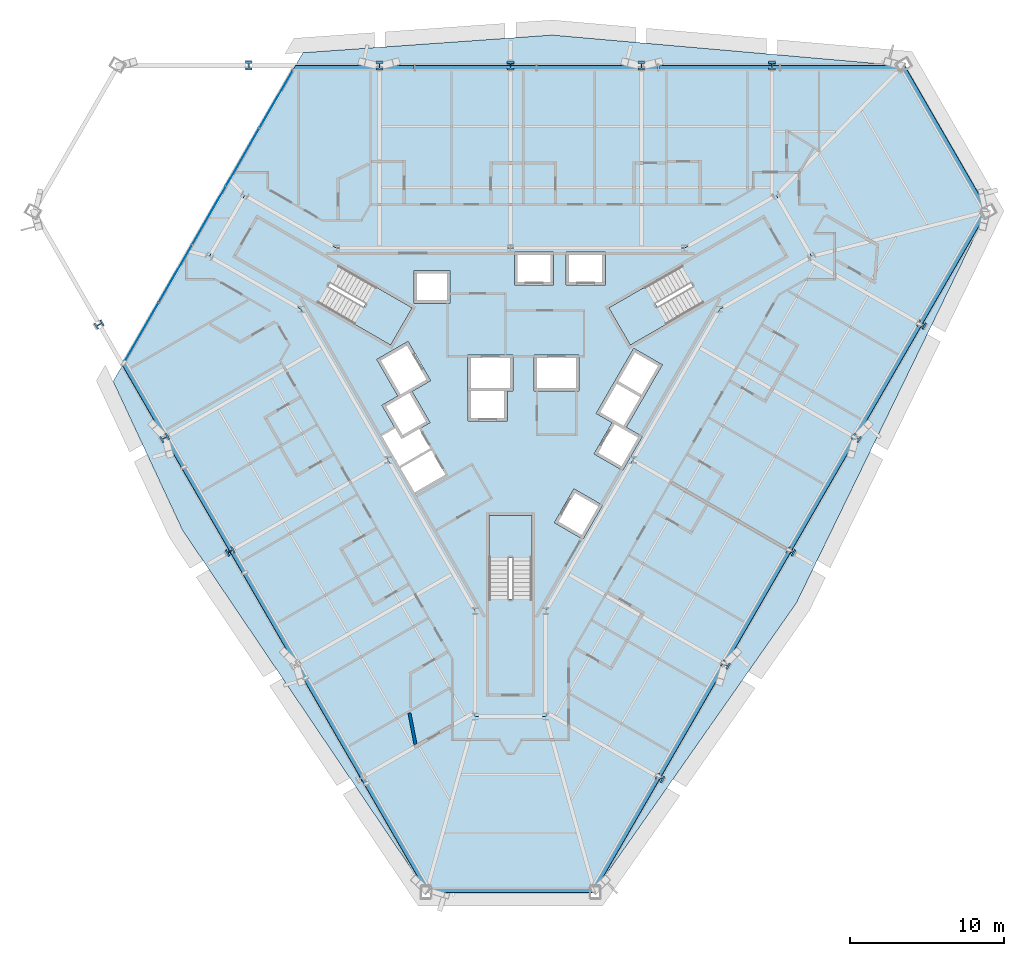
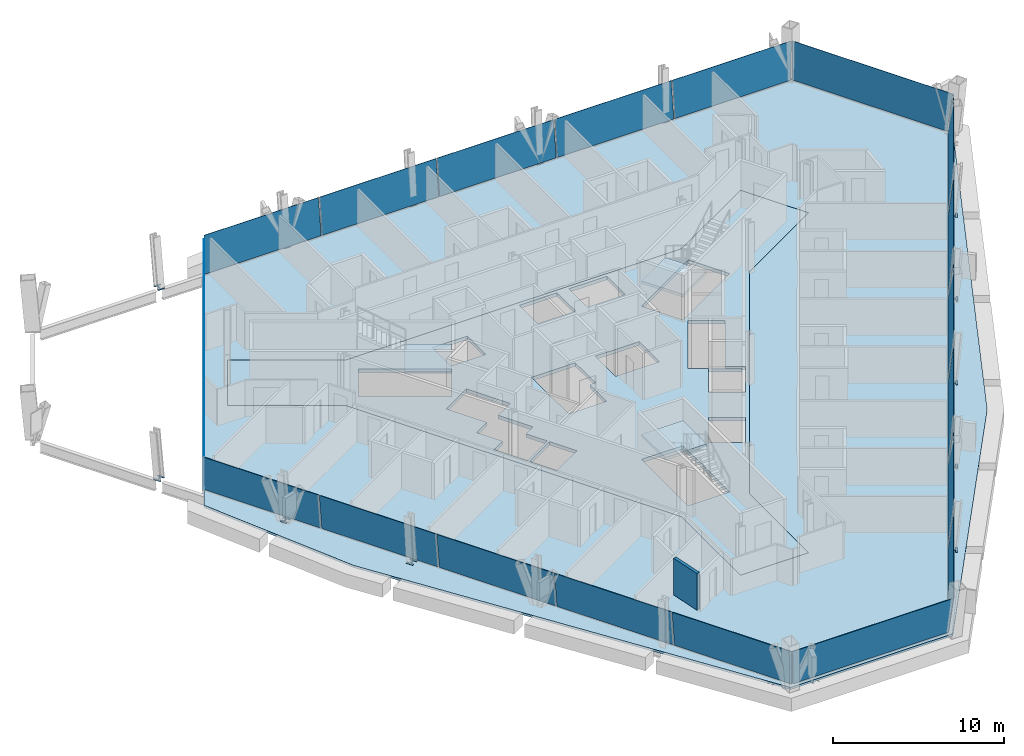
# One storey, part 9 of 17: 23 plates, 13 members, 5 slabs, 1 wall, 9 elements without a shape of their own.
"""IFC4 building model written with IfcOpenShell, lengths in metres."""

from ifc_helpers import new_model, si_unit, direction, frame, frame_2d, origin, origin_2d, place, context, subcontext, project, spatial, polyline, rectangle, i_section, outline, extrude, material, layer, layer_set, material_profile, profile_set, type_object, element, aggregate, save


model = new_model("IFC4")

# Units and contexts
model_context = context("Model", 3, precision=1e-05, world=origin(), true_north=direction((0.0, 1.0)))
body_context = subcontext(model_context, "Body", "Model", "MODEL_VIEW")
ifc_project = project(units=[si_unit("LENGTHUNIT", "METRE"), si_unit("AREAUNIT", "SQUARE_METRE"), si_unit("VOLUMEUNIT", "CUBIC_METRE"), si_unit("PLANEANGLEUNIT", "RADIAN"), si_unit("MASSUNIT", "GRAM", prefix="KILO")], contexts=[model_context])

# Site, building, storey
site_placement = place(None, origin())
site = spatial("IfcSite", under=ifc_project, at=site_placement, CompositionType="ELEMENT")
building_placement = place(site_placement, origin())
building = spatial("IfcBuilding", under=site, at=building_placement, Name="Verrane Prism Tower", CompositionType="ELEMENT")
storey_placement = place(building_placement, frame((0.0, 0.0, 62.0)))
storey = spatial("IfcBuildingStorey", under=building, at=storey_placement, Name="L13", CompositionType="ELEMENT", Elevation=62.0)

# Members
ifc_material_1 = material(Name="Steel A992", Category="steel")
ifc_material_profile = material_profile(ifc_material_1, i_section(OverallWidth=0.44189453125, OverallDepth=0.53076171875, WebThickness=0.06591796875, FlangeThickness=0.105712890625, FilletRadius=0.01513671875, at=origin_2d()), Name="W14x605")
ifc_profile_set = profile_set([ifc_material_profile], Name="Steel A992")
member_type = type_object("IfcMemberType", Name="Kink node W14x605", PredefinedType="COLLAR", material=ifc_profile_set)
for number, where, z_axis, x_axis, name in (
    (1, (17.030517578125, 21.071044921875, -0.02490234375), (0.0, 0.0, 1.0), (1.0, 0.0, 0.0), "Kink node PC2 L13"),
    (2, (8.520263671875, 21.071044921875, -0.02490234375), (0.0, 0.0, 1.0), (1.0, 0.0, 0.0), "Kink node PC2 L13"),
    (3, (0.0, 21.071044921875, -0.02490234375), (0.0, 0.0, 1.0), (1.0, 0.0, 0.0), "Kink node PC2 L13"),
    (4, (-8.520263671875, 21.071044921875, -0.02490234375), (0.0, 0.0, 1.0), (1.0, 0.0, 0.0), "Kink node PC2 L13"),
    (5, (-17.030517578125, 21.071044921875, -0.02490234375), (0.0, 0.0, 1.0), (1.0, 0.0, 0.0), "Kink node PC2 L13"),
    (6, (9.730712890625, -25.290771484375, -0.02490234375), (0.0, 0.0, 1.0), (-0.5, -0.866025403784, 0.0), "Kink node PC2 L13"),
    (7, (13.99072265625, -17.91064453125, -0.02490234375), (0.0, 0.0, 1.0), (-0.5, -0.866025403784, 0.0), "Kink node PC2 L13"),
    (8, (18.2509765625, -10.54052734375, -0.02490234375), (0.0, 0.0, 1.0), (-0.5, -0.866025403784, 0.0), "Kink node PC2 L13"),
    (9, (22.510986328125, -3.160400390625, -0.02490234375), (0.0, 0.0, 1.0), (-0.5, -0.866025403784, 0.0), "Kink node PC2 L13"),
    (10, (26.760986328125, 4.2197265625, -0.02490234375), (0.0, 0.0, 1.0), (-0.5, -0.866025403784, 0.0), "Kink node PC2 L13"),
    (11, (-26.760986328125, 4.2197265625, -0.02490234375), (0.0, 0.0, 1.0), (-0.5, 0.866025403784, 0.0), "Kink node PC2 L13"),
    (12, (-22.510986328125, -3.160400390625, -0.02490234375), (0.0, 0.0, 1.0), (-0.5, 0.866025403784, 0.0), "Kink node PC2 L13"),
    (13, (-18.2509765625, -10.54052734375, -0.02490234375), (0.0, 0.0, 1.0), (-0.5, 0.866025403784, 0.0), "Kink node PC2 L13"),
):
    element("IfcMember", number, at=place(storey_placement, frame(where, z_axis=z_axis, x_axis=x_axis)), inside=storey, type_object=member_type, Name=name, PredefinedType="COLLAR", context=body_context, shape_type="SweptSolid", body=[
        extrude(i_section(OverallWidth=0.44189453125, OverallDepth=0.53076171875, WebThickness=0.06591796875, FlangeThickness=0.105712890625, FilletRadius=0.01513671875, at=origin_2d()), origin(), (0.0, 0.0, 1.0), 0.0498046875),
    ])

# Slabs
ifc_material_2 = material(Name="Concrete C35/45", Category="concrete")
ifc_layer_1 = layer(ifc_material_2, 0.159912109375)
ifc_layer_set_1 = layer_set([ifc_layer_1], Name="Composite floor slab")
slab_type_1 = type_object("IfcSlabType", Name="Composite floor slab", PredefinedType="FLOOR", material=ifc_layer_set_1)
slab_1_placement = place(storey_placement, frame((0.0, 0.0, -0.159912109375)))
element("IfcSlab", 14, at=slab_1_placement, inside=storey, type_object=slab_type_1, Name="Floor slab L13", PredefinedType="FLOOR", context=body_context, shape_type="SweptSolid", body=[
    extrude(outline(polyline([(2.72509765625, 23.070068359375), (25.54833984375, 21.070068359375), (31.021240234375, 11.590576171875), (18.61669921875, -13.89501953125), (5.472900390625, -32.660400390625), (-5.472900390625, -32.660400390625), (-21.341796875, -9.1748046875), (-25.863037109375, 0.524658203125), (-13.509765625, 21.921630859375), (2.72509765625, 23.070068359375)]), holes=[polyline([(19.60009765625, 8.659912109375), (17.300048828125, 12.639892578125), (11.330078125, 9.199951171875), (0.0, 9.199951171875), (-11.330078125, 9.199951171875), (-17.300048828125, 12.639892578125), (-19.60009765625, 8.659912109375), (-13.6298828125, 5.219970703125), (-7.969970703125, -4.60009765625), (-2.300048828125, -14.419921875), (-2.300048828125, -21.300048828125), (2.300048828125, -21.300048828125), (2.300048828125, -14.419921875), (7.969970703125, -4.60009765625), (13.6298828125, 5.219970703125), (19.60009765625, 8.659912109375)])]), origin(), (0.0, 0.0, 1.0), 0.159912109375),
])
ifc_material_3 = material(Name="Concrete C40/50", Category="concrete")
ifc_layer_2 = layer(ifc_material_3, 0.25)
ifc_layer_set_2 = layer_set([ifc_layer_2], Name="Core floor slab 250 concrete C40/50")
slab_type_2 = type_object("IfcSlabType", Name="Core floor slab 250 concrete C40/50", PredefinedType="FLOOR", material=ifc_layer_set_2)
slab_2_placement = place(storey_placement, frame((0.0, 0.0, -0.25)))
element("IfcSlab", 15, at=slab_2_placement, inside=storey, type_object=slab_type_2, Name="Core floor L13", PredefinedType="FLOOR", context=body_context, shape_type="SweptSolid", body=[
    extrude(outline(polyline([(13.6298828125, 5.219970703125), (19.60009765625, 8.659912109375), (17.300048828125, 12.639892578125), (11.330078125, 9.199951171875), (0.0, 9.199951171875), (-11.330078125, 9.199951171875), (-17.300048828125, 12.639892578125), (-19.60009765625, 8.659912109375), (-13.6298828125, 5.219970703125), (-7.969970703125, -4.60009765625), (-2.300048828125, -14.419921875), (-2.300048828125, -21.300048828125), (2.300048828125, -21.300048828125), (2.300048828125, -14.419921875), (7.969970703125, -4.60009765625), (13.6298828125, 5.219970703125)]), holes=[polyline([(1.39990234375, -8.199951171875), (1.39990234375, -13.639892578125), (-1.39990234375, -13.639892578125), (-1.39990234375, -8.199951171875), (1.39990234375, -8.199951171875)]), polyline([(-4.23095703125, -5.54296875), (-6.243896484375, -6.705078125), (-7.158935546875, -5.12109375), (-5.14599609375, -3.95703125), (-4.23095703125, -5.54296875)]), polyline([(0.1650390625, 2.25), (0.1650390625, -0.10009765625), (-0.205078125, -0.10009765625), (-0.205078125, -2.050048828125), (-2.7548828125, -2.050048828125), (-2.7548828125, -0.10009765625), (-2.784912109375, -0.10009765625), (-2.784912109375, 2.25), (0.1650390625, 2.25)]), polyline([(-12.512939453125, 5.60791015625), (-11.113037109375, 8.031982421875), (-6.40087890625, 5.31201171875), (-7.801025390625, 2.887939453125), (-12.512939453125, 5.60791015625)]), polyline([(-6.284912109375, 5.610107421875), (-6.284912109375, 7.760009765625), (-3.93505859375, 7.760009765625), (-3.93505859375, 5.610107421875), (-6.284912109375, 5.610107421875)]), polyline([(4.717041015625, -9.75), (2.85498046875, -8.675048828125), (4.1298828125, -6.466064453125), (5.991943359375, -7.541015625), (4.717041015625, -9.75)]), polyline([(8.303955078125, -3.136962890625), (5.575927734375, -1.56201171875), (8.02587890625, 2.680908203125), (9.887939453125, 1.60595703125), (7.5380859375, -2.464111328125), (8.576904296875, -3.06396484375), (7.302001953125, -5.27197265625), (5.43994140625, -4.197021484375), (6.614990234375, -2.162109375), (8.303955078125, -3.136962890625)]), polyline([(1.52490234375, -0.10009765625), (1.52490234375, 2.25), (4.47509765625, 2.25), (4.47509765625, -0.10009765625), (1.52490234375, -0.10009765625)]), polyline([(6.40087890625, 5.31201171875), (11.113037109375, 8.031982421875), (12.512939453125, 5.60791015625), (7.801025390625, 2.887939453125), (6.40087890625, 5.31201171875)]), polyline([(0.264892578125, 6.81005859375), (0.264892578125, 8.9599609375), (2.81494140625, 8.9599609375), (2.81494140625, 6.81005859375), (0.264892578125, 6.81005859375)]), polyline([(3.625, 6.81005859375), (3.625, 8.9599609375), (6.175048828125, 8.9599609375), (6.175048828125, 6.81005859375), (3.625, 6.81005859375)]), polyline([(-5.23095703125, -2.159912109375), (-5.945068359375, -2.572265625), (-5.220947265625, -3.826904296875), (-7.23291015625, -4.990966796875), (-8.368896484375, -3.02392578125), (-7.502685546875, -2.525146484375), (-8.367919921875, -1.02587890625), (-7.3291015625, -0.426025390625), (-8.7041015625, 1.955078125), (-6.66796875, 3.1298828125), (-5.193115234375, 0.574951171875), (-6.406005859375, -0.125), (-5.23095703125, -2.159912109375)])]), origin(), (0.0, 0.0, 1.0), 0.25),
])

# Curtain wall, plates
ifc_material_4 = material(Name="Aluminium framed insulated glazing", Category="aluminium")
curtain_wall_type_1 = type_object("IfcCurtainWallType", Name="Curtain wall CW-C 4200 module", PredefinedType="NOTDEFINED", material=ifc_material_4)
curtain_wall_1_placement = place(storey_placement, origin())
curtain_wall_1 = element("IfcCurtainWall", 16, at=curtain_wall_1_placement, inside=storey, type_object=curtain_wall_type_1, Name="Glazed curtain wall garden cut line L13 1", PredefinedType="NOTDEFINED")
ifc_material_5 = material(Name="Low-iron insulating glass unit", Category="glass")
ifc_layer_3 = layer(ifc_material_5, 0.02392578125)
ifc_layer_set_3 = layer_set([ifc_layer_3], Name="Glazing panel IGU 24")
plate_type_1 = type_object("IfcPlateType", Name="Glazing panel IGU 24", PredefinedType="CURTAIN_PANEL", material=ifc_layer_set_3)
plate_1_placement = place(storey_placement, frame((-15.260986328125, 18.887939453125, 0.050048828125), z_axis=(0.0, 0.0, 1.0), x_axis=(-0.49999886314, -0.86602606015, 0.0)))
plate_1 = element("IfcPlate", 17, at=plate_1_placement, type_object=plate_type_1, Name="CW12.3.1 panel 1", PredefinedType="CURTAIN_PANEL", context=body_context, shape_type="SweptSolid", body=[
    extrude(rectangle(XDim=4.294677734375, YDim=0.02392578125, at=origin_2d()), origin(), (0.0, 0.0, 1.0), 2.56298828125),
])
plate_2_placement = place(storey_placement, frame((-17.439697265625, 15.114501953125, 0.050048828125), z_axis=(0.0, 0.0, 1.0), x_axis=(-0.49999886314, -0.86602606015, 0.0)))
plate_2 = element("IfcPlate", 18, at=plate_2_placement, type_object=plate_type_1, Name="CW12.3.1 panel 2", PredefinedType="CURTAIN_PANEL", context=body_context, shape_type="SweptSolid", body=[
    extrude(rectangle(XDim=4.31982421875, YDim=0.02392578125, at=origin_2d()), origin(), (0.0, 0.0, 1.0), 2.56298828125),
])
plate_3_placement = place(storey_placement, frame((-19.62451171875, 11.330322265625, 0.050048828125), z_axis=(0.0, 0.0, 1.0), x_axis=(-0.49999886314, -0.86602606015, 0.0)))
plate_3 = element("IfcPlate", 19, at=plate_3_placement, type_object=plate_type_1, Name="CW12.3.1 panel 3", PredefinedType="CURTAIN_PANEL", context=body_context, shape_type="SweptSolid", body=[
    extrude(rectangle(XDim=4.31982421875, YDim=0.02392578125, at=origin_2d()), origin(), (0.0, 0.0, 1.0), 2.56298828125),
])
plate_4_placement = place(storey_placement, frame((-21.809326171875, 7.5458984375, 0.050048828125), z_axis=(0.0, 0.0, 1.0), x_axis=(-0.49999886314, -0.86602606015, 0.0)))
plate_4 = element("IfcPlate", 20, at=plate_4_placement, type_object=plate_type_1, Name="CW12.3.1 panel 4", PredefinedType="CURTAIN_PANEL", context=body_context, shape_type="SweptSolid", body=[
    extrude(rectangle(XDim=4.31982421875, YDim=0.02392578125, at=origin_2d()), origin(), (0.0, 0.0, 1.0), 2.56298828125),
])
plate_5_placement = place(storey_placement, frame((-24.00048828125, 3.750732421875, 0.050048828125), z_axis=(0.0, 0.0, 1.0), x_axis=(-0.49999886314, -0.86602606015, 0.0)))
plate_5 = element("IfcPlate", 21, at=plate_5_placement, type_object=plate_type_1, Name="CW12.3.1 panel 5", PredefinedType="CURTAIN_PANEL", context=body_context, shape_type="SweptSolid", body=[
    extrude(rectangle(XDim=4.3447265625, YDim=0.02392578125, at=origin_2d()), origin(), (0.0, 0.0, 1.0), 2.56298828125),
])
aggregate(curtain_wall_1, [plate_1, plate_2, plate_3, plate_4, plate_5])

# Curtain wall, plate
ifc_material_6 = material(Name="Aluminium framed insulated glazing", Category="aluminium")
curtain_wall_type_2 = type_object("IfcCurtainWallType", Name="Curtain wall CW-A 8400 module", PredefinedType="NOTDEFINED", material=ifc_material_6)
curtain_wall_2_placement = place(storey_placement, origin())
curtain_wall_2 = element("IfcCurtainWall", 22, at=curtain_wall_2_placement, inside=storey, type_object=curtain_wall_type_2, Name="Glazed curtain wall north-east corner L13", PredefinedType="NOTDEFINED")
ifc_material_7 = material(Name="Low-iron insulating glass unit", Category="glass")
ifc_layer_4 = layer(ifc_material_7, 0.031982421875)
ifc_layer_set_4 = layer_set([ifc_layer_4], Name="Glazing panel IGU 32")
plate_type_2 = type_object("IfcPlateType", Name="Glazing panel IGU 32", PredefinedType="CURTAIN_PANEL", material=ifc_layer_set_4)
plate_6_placement = place(storey_placement, frame((30.7080078125, 11.727294921875, 0.070068359375), z_axis=(-0.860043555123, -0.496548254511, 0.117323971264), x_axis=(-0.50000136661, 0.86602461477, 4.93696e-07)))
plate_6 = element("IfcPlate", 23, at=plate_6_placement, type_object=plate_type_2, Name="CW12.1 panel 1", PredefinedType="CURTAIN_PANEL", context=body_context, shape_type="SweptSolid", body=[
    extrude(outline(polyline([(0.0, 0.0), (10.465867459780943, -1.1102230246251565e-16), (10.638926156494472, -2.560402277682985), (-0.20813425897293045, -2.560412872968264), (0.0, 0.0)])), origin(), (0.0, 0.0, -1.0), 0.031982421875),
])
aggregate(curtain_wall_2, [plate_6])

# Curtain wall, plates
curtain_wall_3_placement = place(storey_placement, origin())
curtain_wall_3 = element("IfcCurtainWall", 24, at=curtain_wall_3_placement, inside=storey, type_object=curtain_wall_type_2, Name="Glazed curtain wall north face L13", PredefinedType="NOTDEFINED")
plate_7_placement = place(storey_placement, frame((25.4052734375, 20.791015625, 0.070068359375), z_axis=(0.0, -0.993109537785, 0.117189786072), x_axis=(-1.0, 0.0, 0.0)))
plate_7 = element("IfcPlate", 25, at=plate_7_placement, type_object=plate_type_2, Name="CW12.2 panel 1", PredefinedType="CURTAIN_PANEL", context=body_context, shape_type="SweptSolid", body=[
    extrude(outline(polyline([(0.0, 0.0), (7.822509765625, 0.0), (7.822509765625, -2.560366719511178), (-0.20849609375, -2.560366719511178), (0.0, 0.0)])), origin(), (0.0, 0.0, -1.0), 0.031982421875),
])
plate_8_placement = place(storey_placement, frame((17.5126953125, 20.791015625, 0.070068359375), z_axis=(0.0, -0.993109537785, 0.117189786072), x_axis=(-1.0, 0.0, 0.0)))
plate_8 = element("IfcPlate", 26, at=plate_8_placement, type_object=plate_type_2, Name="CW12.2 panel 2", PredefinedType="CURTAIN_PANEL", context=body_context, shape_type="SweptSolid", body=[
    extrude(outline(polyline([(0.0, 0.0), (7.857421875, 0.0), (7.857421875, -2.560366719511178), (0.0, -2.560366719511178), (0.0, 0.0)])), origin(), (0.0, 0.0, -1.0), 0.031982421875),
])
plate_9_placement = place(storey_placement, frame((9.585205078125, 20.791015625, 0.070068359375), z_axis=(0.0, -0.993109537785, 0.117189786072), x_axis=(-1.0, 0.0, 0.0)))
plate_9 = element("IfcPlate", 27, at=plate_9_placement, type_object=plate_type_2, Name="CW12.2 panel 3", PredefinedType="CURTAIN_PANEL", context=body_context, shape_type="SweptSolid", body=[
    extrude(outline(polyline([(0.0, 0.0), (7.857666015625, 0.0), (7.857666015625, -2.560366719511178), (0.0, -2.560366719511178), (0.0, 0.0)])), origin(), (0.0, 0.0, -1.0), 0.031982421875),
])
plate_10_placement = place(storey_placement, frame((1.65771484375, 20.791015625, 0.070068359375), z_axis=(0.0, -0.993109537785, 0.117189786072), x_axis=(-1.0, 0.0, 0.0)))
plate_10 = element("IfcPlate", 28, at=plate_10_placement, type_object=plate_type_2, Name="CW12.2 panel 4", PredefinedType="CURTAIN_PANEL", context=body_context, shape_type="SweptSolid", body=[
    extrude(outline(polyline([(0.0, 0.0), (7.857666015625, 0.0), (7.857666015625, -2.560366719511178), (0.0, -2.560366719511178), (0.0, 0.0)])), origin(), (0.0, 0.0, -1.0), 0.031982421875),
])
plate_11_placement = place(storey_placement, frame((-6.269775390625, 20.791015625, 0.070068359375), z_axis=(0.0, -0.993109537785, 0.117189786072), x_axis=(-1.0, 0.0, 0.0)))
plate_11 = element("IfcPlate", 29, at=plate_11_placement, type_object=plate_type_2, Name="CW12.2 panel 5", PredefinedType="CURTAIN_PANEL", context=body_context, shape_type="SweptSolid", body=[
    extrude(outline(polyline([(0.0, 0.0), (7.892578125, 0.0), (7.719482421875, -2.5603667195111783), (0.0, -2.5603667195111783), (0.0, 0.0)])), origin(), (0.0, 0.0, -1.0), 0.031982421875),
])
aggregate(curtain_wall_3, [plate_7, plate_8, plate_9, plate_10, plate_11])

curtain_wall_4_placement = place(storey_placement, origin())
curtain_wall_4 = element("IfcCurtainWall", 30, at=curtain_wall_4_placement, inside=storey, type_object=curtain_wall_type_2, Name="Glazed curtain wall south-west face L13", PredefinedType="NOTDEFINED")
plate_12_placement = place(storey_placement, frame((-25.0517578125, 1.808837890625, 0.070068359375), z_axis=(0.860056648075, 0.496564784231, 0.117157915496), x_axis=(0.50000829916, -0.866020612208, -1.052802e-06)))
plate_12 = element("IfcPlate", 31, at=plate_12_placement, type_object=plate_type_2, Name="CW12.4 panel 1", PredefinedType="CURTAIN_PANEL", context=body_context, shape_type="SweptSolid", body=[
    extrude(outline(polyline([(0.0, 0.0), (7.822503151465895, -1.1102230246251565e-16), (7.822645456462848, -2.5603653178074106), (0.1380784446532624, -2.5603488787195547), (0.0, 0.0)])), origin(), (0.0, 0.0, -1.0), 0.031982421875),
])
plate_13_placement = place(storey_placement, frame((-21.10546875, -5.0263671875, 0.070068359375), z_axis=(0.860062116721, 0.496559973532, 0.117138158035), x_axis=(0.500002174158, -0.86602414853, 0.0)))
plate_13 = element("IfcPlate", 32, at=plate_13_placement, type_object=plate_type_2, Name="CW12.4 panel 2", PredefinedType="CURTAIN_PANEL", context=body_context, shape_type="SweptSolid", body=[
    extrude(outline(polyline([(0.0, 0.0), (7.857387708589183, 0.0), (7.857323380926296, -2.5603510164773464), (-6.432766288760883e-05, -2.5603510164773464), (0.0, 0.0)])), origin(), (0.0, 0.0, -1.0), 0.031982421875),
])
plate_14_placement = place(storey_placement, frame((-17.1416015625, -11.8916015625, 0.070068359375), z_axis=(0.860063571985, 0.496551906014, 0.117161669404), x_axis=(0.499995354703, -0.866028085731, 9.03796e-07)))
plate_14 = element("IfcPlate", 33, at=plate_14_placement, type_object=plate_type_2, Name="CW12.4 panel 3", PredefinedType="CURTAIN_PANEL", context=body_context, shape_type="SweptSolid", body=[
    extrude(outline(polyline([(0.0, 0.0), (7.857599140980487, 0.0), (7.857539473077697, -2.560351015872684), (0.00015176473532672714, -2.560365317511631), (0.0, 0.0)])), origin(), (0.0, 0.0, -1.0), 0.031982421875),
])
plate_15_placement = place(storey_placement, frame((-13.177978515625, -18.757080078125, 0.070068359375), z_axis=(0.860063571985, 0.496551906014, 0.117161669404), x_axis=(0.499995354703, -0.866028085731, 9.03796e-07)))
plate_15 = element("IfcPlate", 34, at=plate_15_placement, type_object=plate_type_2, Name="CW12.4 panel 4", PredefinedType="CURTAIN_PANEL", context=body_context, shape_type="SweptSolid", body=[
    extrude(outline(polyline([(0.0, 0.0), (7.857599140980487, 0.0), (7.857539473077697, -2.560351015872684), (0.00015176473532672714, -2.560365317511631), (0.0, 0.0)])), origin(), (0.0, 0.0, -1.0), 0.031982421875),
])
plate_16_placement = place(storey_placement, frame((-9.214111328125, -25.62255859375, 0.070068359375), z_axis=(0.860065959196, 0.496547177962, 0.117164183477), x_axis=(0.499990937291, -0.866030636078, -9.96019e-07)))
plate_16 = element("IfcPlate", 35, at=plate_16_placement, type_object=plate_type_2, Name="CW12.4 panel 5", PredefinedType="CURTAIN_PANEL", context=body_context, shape_type="SweptSolid", body=[
    extrude(outline(polyline([(0.0, 0.0), (7.8926057687135955, 1.1102230246251565e-16), (8.066119864001076, -2.560367021127447), (-6.296881467328596e-05, -2.560351015631989), (0.0, 0.0)])), origin(), (0.0, 0.0, -1.0), 0.031982421875),
])
aggregate(curtain_wall_4, [plate_12, plate_13, plate_14, plate_15, plate_16])

# Curtain wall, plate
curtain_wall_5_placement = place(storey_placement, origin())
curtain_wall_5 = element("IfcCurtainWall", 36, at=curtain_wall_5_placement, inside=storey, type_object=curtain_wall_type_2, Name="Glazed curtain wall south corner L13", PredefinedType="NOTDEFINED")
plate_17_placement = place(storey_placement, frame((-5.197998046875, -32.457763671875, 0.070068359375), z_axis=(0.0, 0.993098435966, 0.117283828731), x_axis=(1.0, 0.0, 0.0)))
plate_17 = element("IfcPlate", 37, at=plate_17_placement, type_object=plate_type_2, Name="CW12.5 panel 1", PredefinedType="CURTAIN_PANEL", context=body_context, shape_type="SweptSolid", body=[
    extrude(outline(polyline([(0.0, 0.0), (10.4658203125, 0.0), (10.638916015625, -2.560395341778674), (-0.2080078125, -2.560395341778674), (0.0, 0.0)])), origin(), (0.0, 0.0, -1.0), 0.031982421875),
])
aggregate(curtain_wall_5, [plate_17])

# Curtain wall, plates
curtain_wall_6_placement = place(storey_placement, origin())
curtain_wall_6 = element("IfcCurtainWall", 38, at=curtain_wall_6_placement, inside=storey, type_object=curtain_wall_type_2, Name="Glazed curtain wall south-east face L13", PredefinedType="NOTDEFINED")
plate_18_placement = place(storey_placement, frame((5.302978515625, -32.39697265625, 0.070068359375), z_axis=(-0.860059984059, 0.4965558224, 0.117171408891), x_axis=(0.500000091476, 0.86602535097, 1.197677e-06)))
plate_18 = element("IfcPlate", 39, at=plate_18_placement, type_object=plate_type_2, Name="CW12.6 panel 1", PredefinedType="CURTAIN_PANEL", context=body_context, shape_type="SweptSolid", body=[
    extrude(outline(polyline([(0.0, 0.0), (8.386569760057533, 0.0), (8.38663641182617, -2.560351014982821), (-0.20872847130972066, -2.560371494933293), (0.0, 0.0)])), origin(), (0.0, 0.0, -1.0), 0.031982421875),
])
plate_19_placement = place(storey_placement, frame((9.53125, -25.0732421875, 0.070068359375), z_axis=(-0.860055591365, 0.496560180754, 0.117185181025), x_axis=(0.500005175824, 0.866022415501, 0.0)))
plate_19 = element("IfcPlate", 40, at=plate_19_placement, type_object=plate_type_2, Name="CW12.6 panel 2", PredefinedType="CURTAIN_PANEL", context=body_context, shape_type="SweptSolid", body=[
    extrude(outline(polyline([(0.0, 0.0), (8.421787820623145, 0.0), (8.421641756546837, -2.560365318560683), (-0.00014606407630721185, -2.560365318560683), (0.0, 0.0)])), origin(), (0.0, 0.0, -1.0), 0.031982421875),
])
plate_20_placement = place(storey_placement, frame((13.777099609375, -17.71923828125, 0.070068359375), z_axis=(-0.860060395631, 0.496562954537, 0.117138157949), x_axis=(0.500005175824, 0.866022415501, 0.0)))
plate_20 = element("IfcPlate", 41, at=plate_20_placement, type_object=plate_type_2, Name="CW12.6 panel 3", PredefinedType="CURTAIN_PANEL", context=body_context, shape_type="SweptSolid", body=[
    extrude(outline(polyline([(0.0, 0.0), (8.421787820623145, -5.551115123125783e-17), (8.421853187800622, -2.5603510164510186), (6.536717747711041e-05, -2.5603510164510186), (0.0, 0.0)])), origin(), (0.0, 0.0, -1.0), 0.031982421875),
])
plate_21_placement = place(storey_placement, frame((18.02294921875, -10.365234375, 0.070068359375), z_axis=(-0.860060395631, 0.496562954537, 0.117138157949), x_axis=(0.500005175824, 0.866022415501, 0.0)))
plate_21 = element("IfcPlate", 42, at=plate_21_placement, type_object=plate_type_2, Name="CW12.6 panel 4", PredefinedType="CURTAIN_PANEL", context=body_context, shape_type="SweptSolid", body=[
    extrude(outline(polyline([(0.0, 0.0), (8.421787820623145, -5.551115123125783e-17), (8.421853187800622, -2.5603510164510186), (6.536717747711041e-05, -2.5603510164510186), (0.0, 0.0)])), origin(), (0.0, 0.0, -1.0), 0.031982421875),
])
plate_22_placement = place(storey_placement, frame((22.268798828125, -3.01123046875, 0.070068359375), z_axis=(-0.860060395631, 0.496562954537, 0.117138157949), x_axis=(0.500005175824, 0.866022415501, 0.0)))
plate_22 = element("IfcPlate", 43, at=plate_22_placement, type_object=plate_type_2, Name="CW12.6 panel 5", PredefinedType="CURTAIN_PANEL", context=body_context, shape_type="SweptSolid", body=[
    extrude(outline(polyline([(0.0, 0.0), (8.421787820623145, -5.551115123125783e-17), (8.421853187800622, -2.5603510164510186), (6.536717747711041e-05, -2.5603510164510186), (0.0, 0.0)])), origin(), (0.0, 0.0, -1.0), 0.031982421875),
])
plate_23_placement = place(storey_placement, frame((26.5146484375, 4.343017578125, 0.070068359375), z_axis=(-0.860057315599, 0.496563481809, 0.117158535404), x_axis=(0.500007014197, 0.866021354097, 9.51699e-07)))
plate_23 = element("IfcPlate", 44, at=plate_23_placement, type_object=plate_type_2, Name="CW12.6 panel 6", PredefinedType="CURTAIN_PANEL", context=body_context, shape_type="SweptSolid", body=[
    extrude(outline(polyline([(0.0, 0.0), (8.456794449733723, 5.551115123125783e-17), (8.630228504042048, -2.5603489432012005), (-0.00014300725515127298, -2.5603653178116677), (0.0, 0.0)])), origin(), (0.0, 0.0, -1.0), 0.031982421875),
])
aggregate(curtain_wall_6, [plate_18, plate_19, plate_20, plate_21, plate_22, plate_23])

# Stair, slab
ifc_material_8 = material(Name="Concrete C40/50", Category="concrete")
stair_type = type_object("IfcStairType", Name="Exit stair 1300 dog-leg precast concrete C40/50", PredefinedType="HALF_TURN_STAIR", material=ifc_material_8)
stair_1_placement = place(storey_placement, origin())
stair_1 = element("IfcStair", 45, at=stair_1_placement, inside=storey, type_object=stair_type, Name="Stair 1 L13", PredefinedType="HALF_TURN_STAIR")
ifc_material_9 = material(Name="Concrete C40/50", Category="concrete")
ifc_layer_5 = layer(ifc_material_9, 0.199951171875)
ifc_layer_set_5 = layer_set([ifc_layer_5], Name="Stair landing 200 precast concrete C40/50")
slab_type_3 = type_object("IfcSlabType", Name="Stair landing 200 precast concrete C40/50", PredefinedType="LANDING", material=ifc_layer_set_5)
slab_3_placement = place(storey_placement, frame((0.0, 0.0, 1.60009765625)))
slab_3 = element("IfcSlab", 46, at=slab_3_placement, type_object=slab_type_3, Name="Stair 1 landing 1", PredefinedType="LANDING", context=body_context, shape_type="SweptSolid", body=[
    extrude(outline(polyline([(8.791748046875, 6.6923828125), (6.4013671875, 5.3125), (7.801513671875, 2.887451171875), (10.191650390625, 4.267578125), (8.791748046875, 6.6923828125)])), origin(), (0.0, 0.0, 1.0), 0.199951171875),
])
aggregate(stair_1, [slab_3])

stair_2_placement = place(storey_placement, origin())
stair_2 = element("IfcStair", 47, at=stair_2_placement, inside=storey, type_object=stair_type, Name="Stair 2 L13", PredefinedType="HALF_TURN_STAIR")
slab_4_placement = place(storey_placement, frame((0.0, 0.0, 1.60009765625)))
slab_4 = element("IfcSlab", 48, at=slab_4_placement, type_object=slab_type_3, Name="Stair 2 landing 1", PredefinedType="LANDING", context=body_context, shape_type="SweptSolid", body=[
    extrude(outline(polyline([(-10.191650390625, 4.267578125), (-7.801513671875, 2.887451171875), (-6.4013671875, 5.3125), (-8.791748046875, 6.6923828125), (-10.191650390625, 4.267578125)])), origin(), (0.0, 0.0, 1.0), 0.199951171875),
])
aggregate(stair_2, [slab_4])

stair_3_placement = place(storey_placement, origin())
stair_3 = element("IfcStair", 49, at=stair_3_placement, inside=storey, type_object=stair_type, Name="Stair 3 L13", PredefinedType="HALF_TURN_STAIR")
slab_5_placement = place(storey_placement, frame((0.0, 0.0, 1.60009765625)))
slab_5 = element("IfcSlab", 50, at=slab_5_placement, type_object=slab_type_3, Name="Stair 3 landing 1", PredefinedType="LANDING", context=body_context, shape_type="SweptSolid", body=[
    extrude(outline(polyline([(1.39990234375, -10.9599609375), (1.39990234375, -8.199951171875), (-1.39990234375, -8.199951171875), (-1.39990234375, -10.9599609375), (1.39990234375, -10.9599609375)])), origin(), (0.0, 0.0, 1.0), 0.199951171875),
])
aggregate(stair_3, [slab_5])

# Wall
ifc_material_10 = material(Name="Gypsum board partition", Category="other")
ifc_layer_6 = layer(ifc_material_10, 0.199951171875)
ifc_layer_set_6 = layer_set([ifc_layer_6], Name="PW-200 plumbing wall")
wall_type = type_object("IfcWallType", Name="PW-200 plumbing wall", PredefinedType="PARTITIONING", material=ifc_layer_set_6)
wall_placement = place(storey_placement, frame((-6.575439453125, -21.06591796875, 0.0), z_axis=(0.0, 0.0, 1.0), x_axis=(0.189476305735, -0.981885293486, 0.0)))
element("IfcWall", 51, at=wall_placement, inside=storey, type_object=wall_type, Name="Plumbing wall 036", PredefinedType="PARTITIONING", context=body_context, shape_type="SweptSolid", body=[
    extrude(rectangle(XDim=2.0732421875, YDim=0.199951171875, at=frame_2d((1.03662109375, 0.0))), origin(), (0.0, 0.0, 1.0), 2.613037109375),
])

save(model, "model.ifc")
